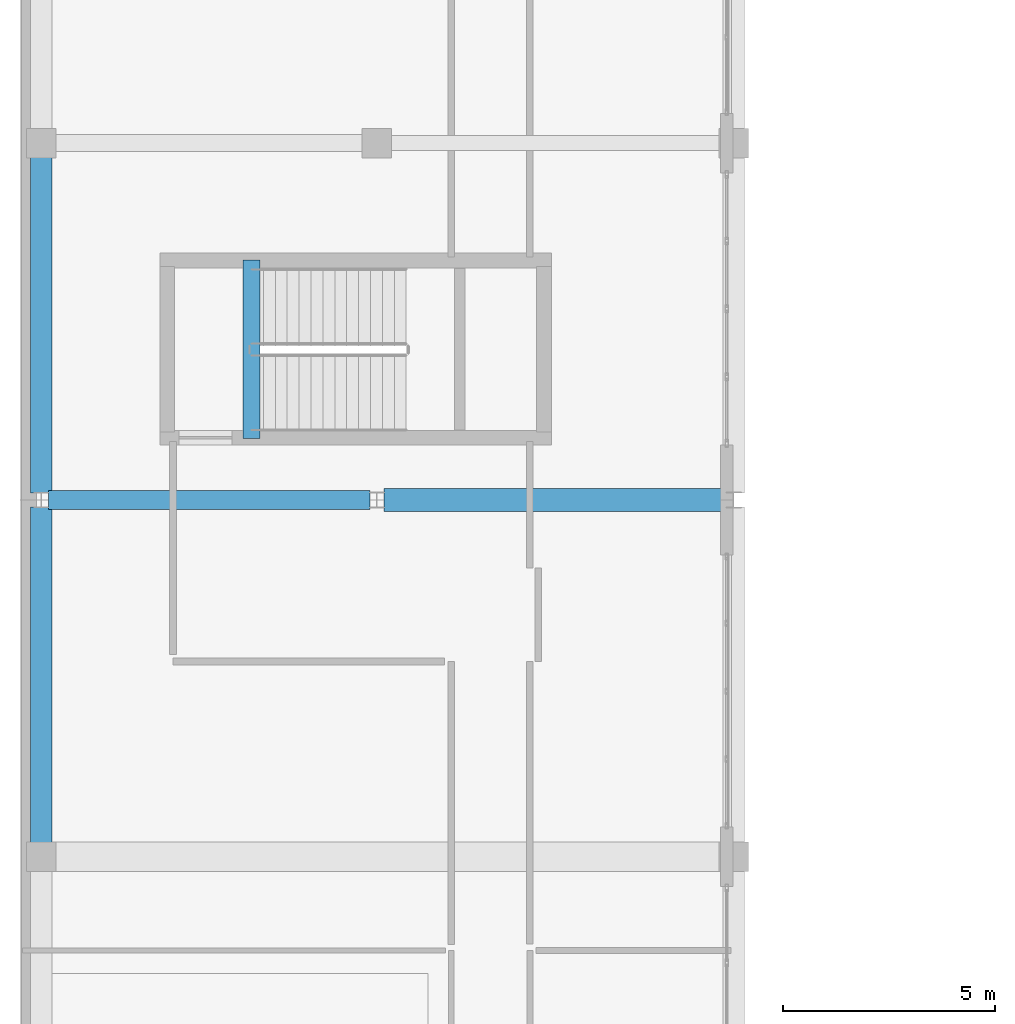
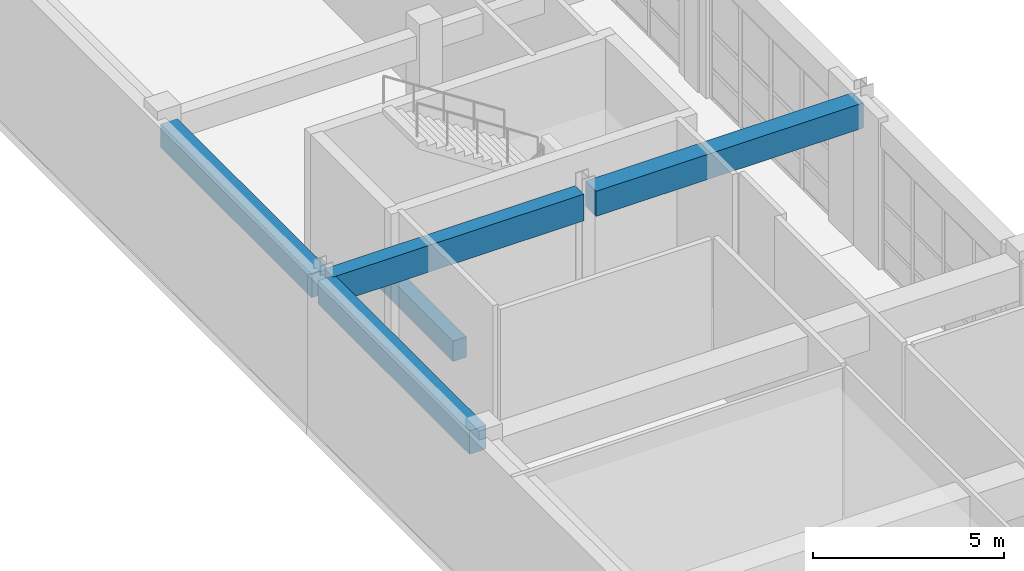
# One storey, part 19 of 78: 5 beams.
"""IFC4 building model written with IfcOpenShell, lengths in metres."""

from ifc_helpers import new_model, si_unit, direction, frame, origin, origin_2d, place, context, subcontext, project, spatial, rectangle, extrude, material, material_profile, profile_set, type_object, element, save


model = new_model("IFC4")

# Units and contexts
model_context = context("Model", 3, precision=1e-05, world=origin(), true_north=direction((0.0, 1.0)))
body_context = subcontext(model_context, "Body", "Model", "MODEL_VIEW")
ifc_project = project(units=[si_unit("LENGTHUNIT", "METRE"), si_unit("AREAUNIT", "SQUARE_METRE"), si_unit("VOLUMEUNIT", "CUBIC_METRE"), si_unit("PLANEANGLEUNIT", "RADIAN"), si_unit("MASSUNIT", "GRAM", prefix="KILO")], contexts=[model_context])

# Site, building, storey
site_placement = place(None, origin())
site = spatial("IfcSite", under=ifc_project, at=site_placement, CompositionType="ELEMENT")
building_placement = place(site_placement, origin())
building = spatial("IfcBuilding", under=site, at=building_placement, Name="Quendrovan Civic Courthouse", CompositionType="ELEMENT")
storey_placement = place(building_placement, frame((0.0, 0.0, 10.199951171875)))
storey = spatial("IfcBuildingStorey", under=building, at=storey_placement, Name="L03", CompositionType="ELEMENT", Elevation=10.199951171875)

# Beams
ifc_material_1 = material(Name="Concrete C40/50", Category="concrete")
ifc_material_profile_1 = material_profile(ifc_material_1, rectangle(XDim=0.39990234375, YDim=0.64990234375, at=origin_2d()), Name="RC-BM-400x650")
ifc_profile_set_1 = profile_set([ifc_material_profile_1], Name="Concrete C40/50")
beam_type_1 = type_object("IfcBeamType", Name="BM-RC650", PredefinedType="JOIST", material=ifc_profile_set_1)
beam_1_placement = place(storey_placement, frame((5.449951171875, 57.85009765625, -0.324951171875), z_axis=(0.0, 1.0, 0.0), x_axis=(-1.0, 0.0, 0.0)))
element("IfcBeam", 1, at=beam_1_placement, inside=storey, type_object=beam_type_1, Name="L03 Stair ST4 Landing Trimmer Beam", PredefinedType="JOIST", context=body_context, shape_type="SweptSolid", body=[
    extrude(rectangle(XDim=0.39990234375, YDim=0.64990234375, at=origin_2d()), origin(), (0.0, 0.0, 1.0), 4.199951171875),
])
ifc_material_profile_2 = material_profile(ifc_material_1, rectangle(XDim=0.5, YDim=0.75, at=origin_2d()), Name="RC-BM-500x750")
ifc_profile_set_2 = profile_set([ifc_material_profile_2], Name="Concrete C40/50")
beam_type_2 = type_object("IfcBeamType", Name="BM-RC750", PredefinedType="SPANDREL", material=ifc_profile_set_2)
beam_2_placement = place(storey_placement, frame((0.5, 48.330078125, 4.28515625), z_axis=(0.0, 1.0, 0.0), x_axis=(-1.0, 0.0, 0.0)))
element("IfcBeam", 2, at=beam_2_placement, inside=storey, type_object=beam_type_2, Name="L03 Girder Y0799", PredefinedType="SPANDREL", context=body_context, shape_type="SweptSolid", body=[
    extrude(rectangle(XDim=0.5, YDim=0.75, at=origin_2d()), origin(), (0.0, 0.0, 1.0), 7.90380859375),
])
beam_3_placement = place(storey_placement, frame((0.5, 56.56591796875, 4.28515625), z_axis=(0.0, 1.0, 0.0), x_axis=(-1.0, 0.0, 0.0)))
element("IfcBeam", 3, at=beam_3_placement, inside=storey, type_object=beam_type_2, Name="L03 Girder Y0800", PredefinedType="SPANDREL", context=body_context, shape_type="SweptSolid", body=[
    extrude(rectangle(XDim=0.5, YDim=0.75, at=origin_2d()), origin(), (0.0, 0.0, 1.0), 7.904052734375),
])
ifc_material_profile_3 = material_profile(ifc_material_1, rectangle(XDim=0.550048828125, YDim=0.800048828125, at=origin_2d()), Name="RC-BM-550x800")
ifc_profile_set_3 = profile_set([ifc_material_profile_3], Name="Concrete C40/50")
beam_type_3 = type_object("IfcBeamType", Name="BM-RC800", PredefinedType="BEAM", material=ifc_profile_set_3)
beam_4_placement = place(storey_placement, frame((8.56689453125, 56.39990234375, 4.260009765625), z_axis=(1.0, 0.0, 0.0), x_axis=(0.0, 1.0, 0.0)))
element("IfcBeam", 4, at=beam_4_placement, inside=storey, type_object=beam_type_3, Name="L03 Girder X0743", PredefinedType="BEAM", context=body_context, shape_type="SweptSolid", body=[
    extrude(rectangle(XDim=0.550048828125, YDim=0.800048828125, at=origin_2d()), origin(), (0.0, 0.0, 1.0), 8.066162109375),
])
ifc_material_2 = material(Name="Concrete C45/55", Category="concrete")
ifc_material_profile_4 = material_profile(ifc_material_2, rectangle(XDim=0.449951171875, YDim=0.85009765625, at=origin_2d()), Name="RC-BM-450x850")
ifc_profile_set_4 = profile_set([ifc_material_profile_4], Name="Concrete C45/55")
beam_type_4 = type_object("IfcBeamType", Name="BM-RC850", PredefinedType="BEAM", material=ifc_profile_set_4)
beam_5_placement = place(storey_placement, frame((0.6669921875, 56.39990234375, 4.235107421875), z_axis=(1.0, 0.0, 0.0), x_axis=(0.0, 1.0, 0.0)))
element("IfcBeam", 5, at=beam_5_placement, inside=storey, type_object=beam_type_4, Name="L03 Girder X0742", PredefinedType="BEAM", context=body_context, shape_type="SweptSolid", body=[
    extrude(rectangle(XDim=0.449951171875, YDim=0.85009765625, at=origin_2d()), origin(), (0.0, 0.0, 1.0), 7.56591796875),
])

save(model, "model.ifc")
